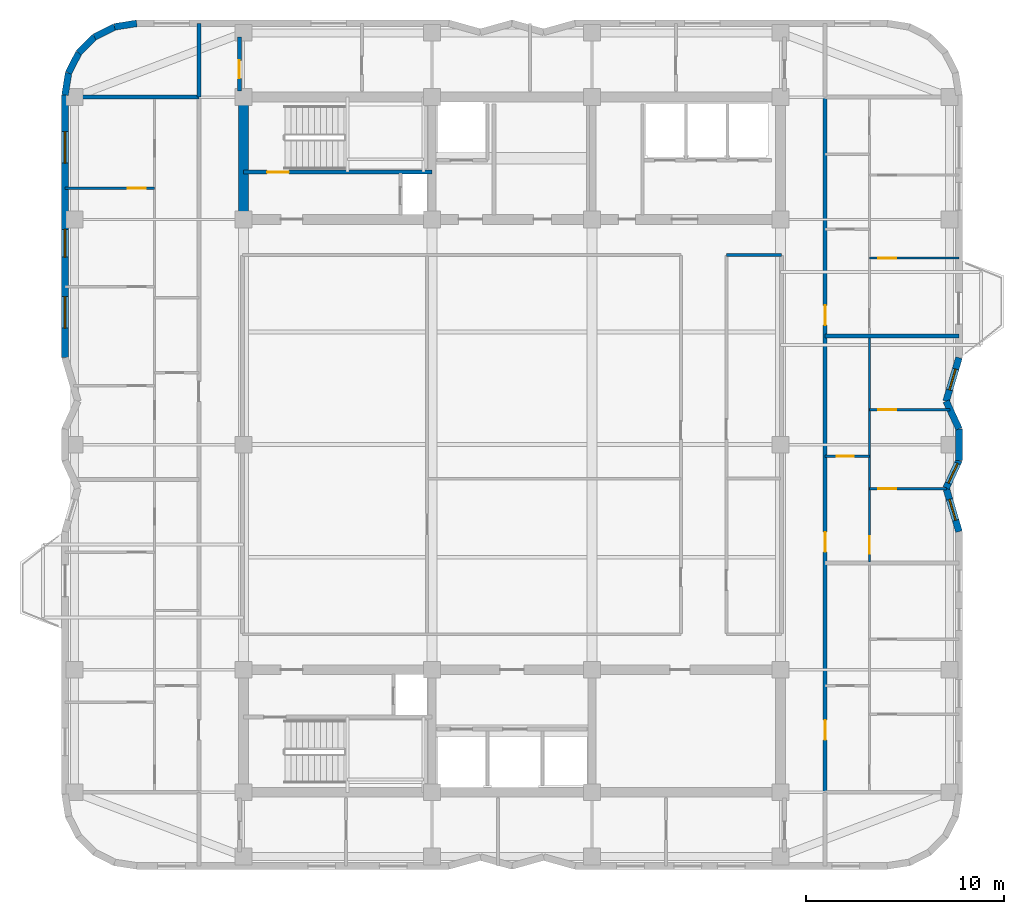
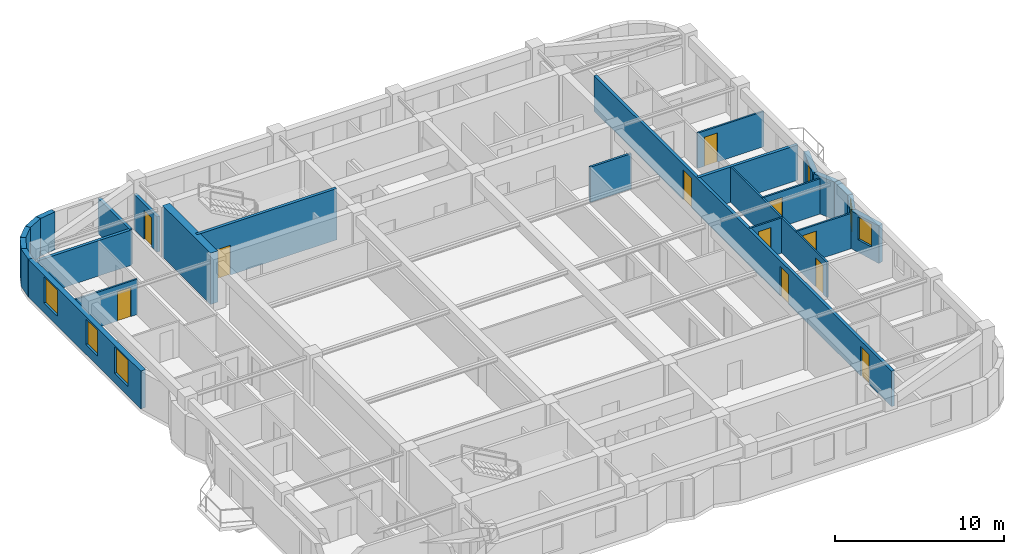
# One storey, part 5 of 9: 25 walls, 11 doors, 6 windows, 17 openings.
"""IFC4 building model written with IfcOpenShell, lengths in metres."""

from ifc_helpers import new_model, si_unit, direction, frame, frame_2d, origin, place, context, subcontext, project, spatial, rectangle, extrude, material, layer, layer_set, type_object, element, fill, save


model = new_model("IFC4")

# Units and contexts
model_context = context("Model", 3, precision=1e-05, world=origin(), true_north=direction((0.0, 1.0)))
body_context = subcontext(model_context, "Body", "Model", "MODEL_VIEW")
ifc_project = project(units=[si_unit("LENGTHUNIT", "METRE"), si_unit("AREAUNIT", "SQUARE_METRE"), si_unit("VOLUMEUNIT", "CUBIC_METRE"), si_unit("PLANEANGLEUNIT", "RADIAN"), si_unit("MASSUNIT", "GRAM", prefix="KILO")], contexts=[model_context])

# Site, building, storey
site_placement = place(None, origin())
site = spatial("IfcSite", under=ifc_project, at=site_placement, CompositionType="ELEMENT")
building_placement = place(site_placement, origin())
building = spatial("IfcBuilding", under=site, at=building_placement, Name="Svetorya Sky Lyceum", CompositionType="ELEMENT")
storey_placement = place(building_placement, frame((0.0, 0.0, 211.0)))
storey = spatial("IfcBuildingStorey", under=building, at=storey_placement, Name="L52", CompositionType="ELEMENT", Elevation=211.0)

# Wall
ifc_material_1 = material(Name="Concrete C50/60", Category="concrete")
ifc_layer_1 = layer(ifc_material_1, 0.5)
ifc_layer_set_1 = layer_set([ifc_layer_1], Name="Concrete C50/60")
wall_type_1 = type_object("IfcWallType", Name="WL-CORE-500", PredefinedType="SHEAR", material=ifc_layer_set_1)
wall_1_placement = place(storey_placement, frame((25.60009765625, 39.85009765625, 0.0), z_axis=(0.0, 0.0, 1.0), x_axis=(0.0, 1.0, 0.0)))
element("IfcWall", 1, at=wall_1_placement, inside=storey, type_object=wall_type_1, Name="L52 NC West Core Shear Wall", PredefinedType="SHEAR", context=body_context, shape_type="SweptSolid", body=[
    extrude(rectangle(XDim=5.699951171875, YDim=0.5, at=frame_2d((2.85009765625, 0.0))), origin(), (0.0, 0.0, 1.0), 3.699951171875),
])

# Wall, opening, window
ifc_material_2 = material(Name="Putilovo limestone rainscreen on autoclaved cellular masonry", Category="masonry")
ifc_layer_2 = layer(ifc_material_2, 0.340087890625)
ifc_layer_set_2 = layer_set([ifc_layer_2], Name="Putilovo limestone rainscreen on autoclaved cellular masonry")
wall_type_2 = type_object("IfcWallType", Name="WL-EXT-340", PredefinedType="SOLIDWALL", material=ifc_layer_set_2)
wall_2_placement = place(storey_placement, frame((61.830078125, 23.800048828125, 0.0), z_axis=(0.0, 0.0, 1.0), x_axis=(-0.283410652833, 0.958998645391, 0.0)))
wall_2 = element("IfcWall", 2, at=wall_2_placement, inside=storey, type_object=wall_type_2, Name="L52 Limestone Exterior Wall 18M", PredefinedType="SOLIDWALL", context=body_context, shape_type="SweptSolid", body=[
    extrude(rectangle(XDim=2.2939453125, YDim=0.340087890625, at=frame_2d((1.14697265625, 0.0))), origin(), (0.0, 0.0, 1.0), 2.719970703125),
])
opening_1_placement = place(wall_2_placement, frame((0.596923828125, 0.0, 0.909912109375)))
opening_1 = element("IfcOpeningElement", 3, at=opening_1_placement, cuts=wall_2, Name="Opening W-R3", PredefinedType="OPENING", context=body_context, shape_type="SweptSolid", body=[
    extrude(rectangle(XDim=1.10009765625, YDim=1.64990234375, at=frame_2d((0.550048828125, 0.824951171875))), frame((0.0, 0.179931640625, 0.0), z_axis=(0.0, -1.0, 0.0), x_axis=(1.0, 0.0, 0.0)), (0.0, 0.0, 1.0), 0.360107421875),
])
ifc_material_3 = material(Name="Thermally broken aluminium frame with triple low-E glazing", Category="aluminium")
window_type_1 = type_object("IfcWindowType", Name="WN-RES-110", PartitioningType="SINGLE_PANEL", PredefinedType="WINDOW", material=ifc_material_3)
window_1_placement = place(opening_1_placement, origin())
window_1 = element("IfcWindow", 4, at=window_1_placement, inside=storey, type_object=window_type_1, Name="L52 Facade Window W-R3.18M.1", OverallHeight=1.64990234375, OverallWidth=1.10009765625, PartitioningType="SINGLE_PANEL", PredefinedType="WINDOW", context=body_context, shape_type="SweptSolid", body=[
    extrude(rectangle(XDim=1.10009765625, YDim=1.64990234375, at=frame_2d((0.550048828125, 0.824951171875))), frame((0.0, 0.030029296875, 0.0), z_axis=(0.0, -1.0, 0.0), x_axis=(1.0, 0.0, 0.0)), (0.0, 0.0, 1.0), 0.06005859375),
])
fill(opening_1, window_1)

wall_3_placement = place(storey_placement, frame((61.179931640625, 26.0, 0.0), z_axis=(0.0, 0.0, 1.0), x_axis=(0.421213543339, 0.906961493619, 0.0)))
wall_3 = element("IfcWall", 5, at=wall_3_placement, inside=storey, type_object=wall_type_2, Name="L52 Limestone Exterior Wall 19M", PredefinedType="SOLIDWALL", context=body_context, shape_type="SweptSolid", body=[
    extrude(rectangle(XDim=1.54345703125, YDim=0.340087890625, at=frame_2d((0.771728515625, 0.0))), origin(), (0.0, 0.0, 1.0), 2.719970703125),
])
opening_2_placement = place(wall_3_placement, frame((0.280029296875, 0.0, 0.909912109375)))
opening_2 = element("IfcOpeningElement", 6, at=opening_2_placement, cuts=wall_3, Name="Opening W-R3", PredefinedType="OPENING", context=body_context, shape_type="SweptSolid", body=[
    extrude(rectangle(XDim=1.10009765625, YDim=1.64990234375, at=frame_2d((0.550048828125, 0.824951171875))), frame((0.0, 0.179931640625, 0.0), z_axis=(0.0, -1.0, 0.0), x_axis=(1.0, 0.0, 0.0)), (0.0, 0.0, 1.0), 0.360107421875),
])
window_2_placement = place(opening_2_placement, origin())
window_2 = element("IfcWindow", 7, at=window_2_placement, inside=storey, type_object=window_type_1, Name="L52 Facade Window W-R3.19M.1", OverallHeight=1.64990234375, OverallWidth=1.10009765625, PartitioningType="SINGLE_PANEL", PredefinedType="WINDOW", context=body_context, shape_type="SweptSolid", body=[
    extrude(rectangle(XDim=1.10009765625, YDim=1.64990234375, at=frame_2d((0.550048828125, 0.824951171875))), frame((0.0, 0.030029296875, 0.0), z_axis=(0.0, -1.0, 0.0), x_axis=(1.0, 0.0, 0.0)), (0.0, 0.0, 1.0), 0.06005859375),
])
fill(opening_2, window_2)

# Walls
wall_4_placement = place(storey_placement, frame((61.830078125, 27.39990234375, 0.0), z_axis=(0.0, 0.0, 1.0), x_axis=(0.0, 1.0, 0.0)))
element("IfcWall", 8, at=wall_4_placement, inside=storey, type_object=wall_type_2, Name="L52 Limestone Exterior Wall 20M", PredefinedType="SOLIDWALL", context=body_context, shape_type="SweptSolid", body=[
    extrude(rectangle(XDim=1.60009765625, YDim=0.340087890625, at=frame_2d((0.800048828125, 0.0))), origin(), (0.0, 0.0, 1.0), 2.719970703125),
])
wall_5_placement = place(storey_placement, frame((61.830078125, 29.0, 0.0), z_axis=(0.0, 0.0, 1.0), x_axis=(-0.421213543339, 0.906961493619, 0.0)))
element("IfcWall", 9, at=wall_5_placement, inside=storey, type_object=wall_type_2, Name="L52 Limestone Exterior Wall 21M", PredefinedType="SOLIDWALL", context=body_context, shape_type="SweptSolid", body=[
    extrude(rectangle(XDim=1.54345703125, YDim=0.340087890625, at=frame_2d((0.771728515625, 0.0))), origin(), (0.0, 0.0, 1.0), 2.719970703125),
])

# Wall, opening, window
wall_6_placement = place(storey_placement, frame((61.179931640625, 30.39990234375, 0.0), z_axis=(0.0, 0.0, 1.0), x_axis=(0.283381730269, 0.959007192335, 0.0)))
wall_6 = element("IfcWall", 10, at=wall_6_placement, inside=storey, type_object=wall_type_2, Name="L52 Limestone Exterior Wall 22M", PredefinedType="SOLIDWALL", context=body_context, shape_type="SweptSolid", body=[
    extrude(rectangle(XDim=2.294189453125, YDim=0.340087890625, at=frame_2d((1.14697265625, 0.0))), origin(), (0.0, 0.0, 1.0), 2.719970703125),
])
opening_3_placement = place(wall_6_placement, frame((0.596923828125, 0.0, 0.909912109375)))
opening_3 = element("IfcOpeningElement", 11, at=opening_3_placement, cuts=wall_6, Name="Opening W-R3", PredefinedType="OPENING", context=body_context, shape_type="SweptSolid", body=[
    extrude(rectangle(XDim=1.10009765625, YDim=1.64990234375, at=frame_2d((0.550048828125, 0.824951171875))), frame((0.0, 0.179931640625, 0.0), z_axis=(0.0, -1.0, 0.0), x_axis=(1.0, 0.0, 0.0)), (0.0, 0.0, 1.0), 0.360107421875),
])
window_3_placement = place(opening_3_placement, origin())
window_3 = element("IfcWindow", 12, at=window_3_placement, inside=storey, type_object=window_type_1, Name="L52 Facade Window W-R3.22M.1", OverallHeight=1.64990234375, OverallWidth=1.10009765625, PartitioningType="SINGLE_PANEL", PredefinedType="WINDOW", context=body_context, shape_type="SweptSolid", body=[
    extrude(rectangle(XDim=1.10009765625, YDim=1.64990234375, at=frame_2d((0.550048828125, 0.824951171875))), frame((0.0, 0.030029296875, 0.0), z_axis=(0.0, -1.0, 0.0), x_axis=(1.0, 0.0, 0.0)), (0.0, 0.0, 1.0), 0.06005859375),
])
fill(opening_3, window_3)

# Walls
wall_7_placement = place(storey_placement, frame((20.199951171875, 49.530029296875, 0.0), z_axis=(0.0, 0.0, 1.0), x_axis=(-0.987675651954, -0.156514556949, 0.0)))
element("IfcWall", 13, at=wall_7_placement, inside=storey, type_object=wall_type_2, Name="L52 Limestone Exterior Wall 35M", PredefinedType="SOLIDWALL", context=body_context, shape_type="SweptSolid", body=[
    extrude(rectangle(XDim=1.135498046875, YDim=0.340087890625, at=frame_2d((0.56787109375, 0.0))), origin(), (0.0, 0.0, 1.0), 2.719970703125),
])
for number, where, z_axis, x_axis, name in (
    (14, (19.078369140625, 49.352294921875, 0.0), (0.0, 0.0, 1.0), (-0.891005044957, -0.453993402883, 0.0), "L52 Limestone Exterior Wall 36M"),
    (15, (18.06640625, 48.836669921875, 0.0), (0.0, 0.0, 1.0), (-0.707214252388, -0.706999293649, 0.0), "L52 Limestone Exterior Wall 37M"),
    (16, (17.26318359375, 48.03369140625, 0.0), (0.0, 0.0, 1.0), (-0.453822724105, -0.891091990249, 0.0), "L52 Limestone Exterior Wall 38M"),
    (17, (16.747802734375, 47.021728515625, 0.0), (0.0, 0.0, 1.0), (-0.156481329164, -0.987680916907, 0.0), "L52 Limestone Exterior Wall 39M"),
):
    element("IfcWall", number, at=place(storey_placement, frame(where, z_axis=z_axis, x_axis=x_axis)), inside=storey, type_object=wall_type_2, Name=name, PredefinedType="SOLIDWALL", context=body_context, shape_type="SweptSolid", body=[
        extrude(rectangle(XDim=1.1357421875, YDim=0.340087890625, at=frame_2d((0.56787109375, 0.0))), origin(), (0.0, 0.0, 1.0), 2.719970703125),
    ])

# Wall, openings, windows
wall_8_placement = place(storey_placement, frame((16.570068359375, 45.89990234375, 0.0), z_axis=(0.0, 0.0, 1.0), x_axis=(0.0, -1.0, 0.0)))
wall_8 = element("IfcWall", 18, at=wall_8_placement, inside=storey, type_object=wall_type_2, Name="L52 Limestone Exterior Wall 40M", PredefinedType="SOLIDWALL", context=body_context, shape_type="SweptSolid", body=[
    extrude(rectangle(XDim=13.2998046875, YDim=0.340087890625, at=frame_2d((6.64990234375, 0.0))), origin(), (0.0, 0.0, 1.0), 2.719970703125),
])
opening_4_placement = place(wall_8_placement, frame((1.85009765625, 0.0, 0.699951171875)))
opening_4 = element("IfcOpeningElement", 19, at=opening_4_placement, cuts=wall_8, Name="Opening W-R4", PredefinedType="OPENING", context=body_context, shape_type="SweptSolid", body=[
    extrude(rectangle(XDim=1.60009765625, YDim=1.89990234375, at=frame_2d((0.800048828125, 0.949951171875))), frame((0.0, 0.179931640625, 0.0), z_axis=(0.0, -1.0, 0.0), x_axis=(1.0, 0.0, 0.0)), (0.0, 0.0, 1.0), 0.360107421875),
])
opening_5_placement = place(wall_8_placement, frame((6.800048828125, 0.0, 0.7099609375)))
opening_5 = element("IfcOpeningElement", 20, at=opening_5_placement, cuts=wall_8, Name="Opening W-R2", PredefinedType="OPENING", context=body_context, shape_type="SweptSolid", body=[
    extrude(rectangle(XDim=1.39990234375, YDim=1.85009765625, at=frame_2d((0.699951171875, 0.925048828125))), frame((0.0, 0.179931640625, 0.0), z_axis=(0.0, -1.0, 0.0), x_axis=(1.0, 0.0, 0.0)), (0.0, 0.0, 1.0), 0.360107421875),
])
opening_6_placement = place(wall_8_placement, frame((10.199951171875, 0.0, 0.699951171875)))
opening_6 = element("IfcOpeningElement", 21, at=opening_6_placement, cuts=wall_8, Name="Opening W-R4", PredefinedType="OPENING", context=body_context, shape_type="SweptSolid", body=[
    extrude(rectangle(XDim=1.60009765625, YDim=1.89990234375, at=frame_2d((0.800048828125, 0.949951171875))), frame((0.0, 0.179931640625, 0.0), z_axis=(0.0, -1.0, 0.0), x_axis=(1.0, 0.0, 0.0)), (0.0, 0.0, 1.0), 0.360107421875),
])
window_type_2 = type_object("IfcWindowType", Name="WN-RES-140", PartitioningType="SINGLE_PANEL", PredefinedType="WINDOW", material=ifc_material_3)
window_4_placement = place(opening_5_placement, origin())
window_4 = element("IfcWindow", 22, at=window_4_placement, inside=storey, type_object=window_type_2, Name="L52 Facade Window W-R2.40M.3", OverallHeight=1.85009765625, OverallWidth=1.39990234375, PartitioningType="SINGLE_PANEL", PredefinedType="WINDOW", context=body_context, shape_type="SweptSolid", body=[
    extrude(rectangle(XDim=1.39990234375, YDim=1.85009765625, at=frame_2d((0.699951171875, 0.925048828125))), frame((0.0, 0.030029296875, 0.0), z_axis=(0.0, -1.0, 0.0), x_axis=(1.0, 0.0, 0.0)), (0.0, 0.0, 1.0), 0.06005859375),
])
fill(opening_5, window_4)
window_type_3 = type_object("IfcWindowType", Name="WN-RES-160", PartitioningType="DOUBLE_PANEL_VERTICAL", PredefinedType="WINDOW", material=ifc_material_3)
window_5_placement = place(opening_4_placement, origin())
window_5 = element("IfcWindow", 23, at=window_5_placement, inside=storey, type_object=window_type_3, Name="L52 Facade Window W-R4.40M.1", OverallHeight=1.89990234375, OverallWidth=1.60009765625, PartitioningType="SINGLE_PANEL", PredefinedType="WINDOW", context=body_context, shape_type="SweptSolid", body=[
    extrude(rectangle(XDim=1.60009765625, YDim=1.89990234375, at=frame_2d((0.800048828125, 0.949951171875))), frame((0.0, 0.030029296875, 0.0), z_axis=(0.0, -1.0, 0.0), x_axis=(1.0, 0.0, 0.0)), (0.0, 0.0, 1.0), 0.06005859375),
])
fill(opening_4, window_5)
window_6_placement = place(opening_6_placement, origin())
window_6 = element("IfcWindow", 24, at=window_6_placement, inside=storey, type_object=window_type_3, Name="L52 Facade Window W-R4.40M.2", OverallHeight=1.89990234375, OverallWidth=1.60009765625, PartitioningType="SINGLE_PANEL", PredefinedType="WINDOW", context=body_context, shape_type="SweptSolid", body=[
    extrude(rectangle(XDim=1.60009765625, YDim=1.89990234375, at=frame_2d((0.800048828125, 0.949951171875))), frame((0.0, 0.030029296875, 0.0), z_axis=(0.0, -1.0, 0.0), x_axis=(1.0, 0.0, 0.0)), (0.0, 0.0, 1.0), 0.06005859375),
])
fill(opening_6, window_6)

# Wall, opening, door
ifc_material_4 = material(Name="Twin-stud galvanized framing with double fireboard", Category="gypsum")
ifc_layer_3 = layer(ifc_material_4, 0.1201171875)
ifc_layer_set_3 = layer_set([ifc_layer_3], Name="Twin-stud galvanized framing with double fireboard")
wall_type_3 = type_object("IfcWallType", Name="WL-PART-120", PredefinedType="PARTITIONING", material=ifc_layer_set_3)
wall_9_placement = place(storey_placement, frame((16.570068359375, 41.18994140625, 0.0), z_axis=(0.0, 0.0, 1.0), x_axis=(1.0, 0.0, 0.0)))
wall_9 = element("IfcWall", 25, at=wall_9_placement, inside=storey, type_object=wall_type_3, Name="L52 Interior Partition W2-WL3", PredefinedType="PARTITIONING", context=body_context, shape_type="SweptSolid", body=[
    extrude(rectangle(XDim=4.530029296875, YDim=0.1201171875, at=frame_2d((2.26513671875, 0.0))), origin(), (0.0, 0.0, 1.0), 2.550048828125),
])
opening_7_placement = place(wall_9_placement, frame((3.179931640625, 0.0, 0.0)))
opening_7 = element("IfcOpeningElement", 26, at=opening_7_placement, cuts=wall_9, Name="Opening D-RM1", PredefinedType="OPENING", context=body_context, shape_type="SweptSolid", body=[
    extrude(rectangle(XDim=0.89990234375, YDim=2.10009765625, at=frame_2d((0.449951171875, 1.050048828125))), frame((0.0, 0.070068359375, 0.0), z_axis=(0.0, -1.0, 0.0), x_axis=(1.0, 0.0, 0.0)), (0.0, 0.0, 1.0), 0.14013671875),
])
ifc_material_5 = material(Name="Lacquered birch veneer internal door")
door_type_1 = type_object("IfcDoorType", Name="DR-INT-900", OperationType="SINGLE_SWING_LEFT", PredefinedType="DOOR", material=ifc_material_5)
door_1_placement = place(opening_7_placement, origin())
door_1 = element("IfcDoor", 27, at=door_1_placement, inside=storey, type_object=door_type_1, Name="Apartment W2 Bedroom 3 Door", OperationType="SINGLE_SWING_RIGHT", OverallHeight=2.10009765625, OverallWidth=0.89990234375, PredefinedType="DOOR", context=body_context, shape_type="SweptSolid", body=[
    extrude(rectangle(XDim=0.89990234375, YDim=2.10009765625, at=frame_2d((0.449951171875, 1.050048828125))), frame((0.0, 0.02490234375, 0.0), z_axis=(0.0, -1.0, 0.0), x_axis=(1.0, 0.0, 0.0)), (0.0, 0.0, 1.0), 0.050048828125),
])
fill(opening_7, door_1)

wall_10_placement = place(storey_placement, frame((55.050048828125, 27.615966796875, 0.0), z_axis=(0.0, 0.0, 1.0), x_axis=(1.0, 0.0, 0.0)))
wall_10 = element("IfcWall", 28, at=wall_10_placement, inside=storey, type_object=wall_type_3, Name="L52 Interior Partition E2-WH1", PredefinedType="PARTITIONING", context=body_context, shape_type="SweptSolid", body=[
    extrude(rectangle(XDim=2.25, YDim=0.1201171875, at=frame_2d((1.125, 0.0))), origin(), (0.0, 0.0, 1.0), 2.550048828125),
])
opening_8_placement = place(wall_10_placement, frame((0.60009765625, 0.0, 0.0)))
opening_8 = element("IfcOpeningElement", 29, at=opening_8_placement, cuts=wall_10, Name="Opening D-BT1", PredefinedType="OPENING", context=body_context, shape_type="SweptSolid", body=[
    extrude(rectangle(XDim=0.85009765625, YDim=2.10009765625, at=frame_2d((0.425048828125, 1.050048828125))), frame((0.0, 0.070068359375, 0.0), z_axis=(0.0, -1.0, 0.0), x_axis=(1.0, 0.0, 0.0)), (0.0, 0.0, 1.0), 0.14013671875),
])
ifc_material_6 = material(Name="Moisture-resistant laminate bathroom door")
door_type_2 = type_object("IfcDoorType", Name="DR-WET-850", OperationType="SINGLE_SWING_LEFT", PredefinedType="DOOR", material=ifc_material_6)
door_2_placement = place(opening_8_placement, origin())
door_2 = element("IfcDoor", 30, at=door_2_placement, inside=storey, type_object=door_type_2, Name="Apartment E2 Bathroom Door", OperationType="SINGLE_SWING_LEFT", OverallHeight=2.10009765625, OverallWidth=0.85009765625, PredefinedType="DOOR", context=body_context, shape_type="SweptSolid", body=[
    extrude(rectangle(XDim=0.85009765625, YDim=2.10009765625, at=frame_2d((0.425048828125, 1.050048828125))), frame((0.0, 0.02490234375, 0.0), z_axis=(0.0, -1.0, 0.0), x_axis=(1.0, 0.0, 0.0)), (0.0, 0.0, 1.0), 0.050048828125),
])
fill(opening_8, door_2)

wall_11_placement = place(storey_placement, frame((57.300048828125, 25.966064453125, 0.0), z_axis=(0.0, 0.0, 1.0), x_axis=(1.0, 0.0, 0.0)))
wall_11 = element("IfcWall", 31, at=wall_11_placement, inside=storey, type_object=wall_type_3, Name="L52 Interior Partition E2-WL1", PredefinedType="PARTITIONING", context=body_context, shape_type="SweptSolid", body=[
    extrude(rectangle(XDim=3.889892578125, YDim=0.1201171875, at=frame_2d((1.94482421875, 0.0))), origin(), (0.0, 0.0, 1.0), 2.550048828125),
])
opening_9_placement = place(wall_11_placement, frame((0.449951171875, 0.0, 0.0)))
opening_9 = element("IfcOpeningElement", 32, at=opening_9_placement, cuts=wall_11, Name="Opening D-RM1", PredefinedType="OPENING", context=body_context, shape_type="SweptSolid", body=[
    extrude(rectangle(XDim=0.89990234375, YDim=2.10009765625, at=frame_2d((0.449951171875, 1.050048828125))), frame((0.0, 0.070068359375, 0.0), z_axis=(0.0, -1.0, 0.0), x_axis=(1.0, 0.0, 0.0)), (0.0, 0.0, 1.0), 0.14013671875),
])
door_3_placement = place(opening_9_placement, origin())
door_3 = element("IfcDoor", 33, at=door_3_placement, inside=storey, type_object=door_type_1, Name="Apartment E2 Master Bedroom Door", OperationType="SINGLE_SWING_LEFT", OverallHeight=2.10009765625, OverallWidth=0.89990234375, PredefinedType="DOOR", context=body_context, shape_type="SweptSolid", body=[
    extrude(rectangle(XDim=0.89990234375, YDim=2.10009765625, at=frame_2d((0.449951171875, 1.050048828125))), frame((0.0, 0.02490234375, 0.0), z_axis=(0.0, -1.0, 0.0), x_axis=(1.0, 0.0, 0.0)), (0.0, 0.0, 1.0), 0.050048828125),
])
fill(opening_9, door_3)

wall_12_placement = place(storey_placement, frame((57.300048828125, 29.966064453125, 0.0), z_axis=(0.0, 0.0, 1.0), x_axis=(1.0, 0.0, 0.0)))
wall_12 = element("IfcWall", 34, at=wall_12_placement, inside=storey, type_object=wall_type_3, Name="L52 Interior Partition E2-WL2", PredefinedType="PARTITIONING", context=body_context, shape_type="SweptSolid", body=[
    extrude(rectangle(XDim=4.08154296875, YDim=0.1201171875, at=frame_2d((2.040771484375, 0.0))), origin(), (0.0, 0.0, 1.0), 2.550048828125),
])
opening_10_placement = place(wall_12_placement, frame((0.449951171875, 0.0, 0.0)))
opening_10 = element("IfcOpeningElement", 35, at=opening_10_placement, cuts=wall_12, Name="Opening D-RM1", PredefinedType="OPENING", context=body_context, shape_type="SweptSolid", body=[
    extrude(rectangle(XDim=0.89990234375, YDim=2.10009765625, at=frame_2d((0.449951171875, 1.050048828125))), frame((0.0, 0.070068359375, 0.0), z_axis=(0.0, -1.0, 0.0), x_axis=(1.0, 0.0, 0.0)), (0.0, 0.0, 1.0), 0.14013671875),
])
door_4_placement = place(opening_10_placement, origin())
door_4 = element("IfcDoor", 36, at=door_4_placement, inside=storey, type_object=door_type_1, Name="Apartment E2 Bedroom 2 Door", OperationType="SINGLE_SWING_RIGHT", OverallHeight=2.10009765625, OverallWidth=0.89990234375, PredefinedType="DOOR", context=body_context, shape_type="SweptSolid", body=[
    extrude(rectangle(XDim=0.89990234375, YDim=2.10009765625, at=frame_2d((0.449951171875, 1.050048828125))), frame((0.0, 0.02490234375, 0.0), z_axis=(0.0, -1.0, 0.0), x_axis=(1.0, 0.0, 0.0)), (0.0, 0.0, 1.0), 0.050048828125),
])
fill(opening_10, door_4)

wall_13_placement = place(storey_placement, frame((57.300048828125, 22.256103515625, 0.0), z_axis=(0.0, 0.0, 1.0), x_axis=(0.0, 1.0, 0.0)))
wall_13 = element("IfcWall", 37, at=wall_13_placement, inside=storey, type_object=wall_type_3, Name="L52 Interior Partition E2-WV", PredefinedType="PARTITIONING", context=body_context, shape_type="SweptSolid", body=[
    extrude(rectangle(XDim=11.40380859375, YDim=0.1201171875, at=frame_2d((5.701904296875, 0.0))), origin(), (0.0, 0.0, 1.0), 2.550048828125),
])
opening_11_placement = place(wall_13_placement, frame((0.409912109375, 0.0, 0.0)))
opening_11 = element("IfcOpeningElement", 38, at=opening_11_placement, cuts=wall_13, Name="Opening D-RM1", PredefinedType="OPENING", context=body_context, shape_type="SweptSolid", body=[
    extrude(rectangle(XDim=0.89990234375, YDim=2.10009765625, at=frame_2d((0.449951171875, 1.050048828125))), frame((0.0, 0.070068359375, 0.0), z_axis=(0.0, -1.0, 0.0), x_axis=(1.0, 0.0, 0.0)), (0.0, 0.0, 1.0), 0.14013671875),
])
door_5_placement = place(opening_11_placement, origin())
door_5 = element("IfcDoor", 39, at=door_5_placement, inside=storey, type_object=door_type_1, Name="Apartment E2 Living Door", OperationType="SINGLE_SWING_RIGHT", OverallHeight=2.10009765625, OverallWidth=0.89990234375, PredefinedType="DOOR", context=body_context, shape_type="SweptSolid", body=[
    extrude(rectangle(XDim=0.89990234375, YDim=2.10009765625, at=frame_2d((0.449951171875, 1.050048828125))), frame((0.0, 0.02490234375, 0.0), z_axis=(0.0, -1.0, 0.0), x_axis=(1.0, 0.0, 0.0)), (0.0, 0.0, 1.0), 0.050048828125),
])
fill(opening_11, door_5)

wall_14_placement = place(storey_placement, frame((57.300048828125, 37.64990234375, 0.0), z_axis=(0.0, 0.0, 1.0), x_axis=(1.0, 0.0, 0.0)))
wall_14 = element("IfcWall", 40, at=wall_14_placement, inside=storey, type_object=wall_type_3, Name="L52 Interior Partition E3-WL1", PredefinedType="PARTITIONING", context=body_context, shape_type="SweptSolid", body=[
    extrude(rectangle(XDim=4.530029296875, YDim=0.1201171875, at=frame_2d((2.26513671875, 0.0))), origin(), (0.0, 0.0, 1.0), 2.550048828125),
])
opening_12_placement = place(wall_14_placement, frame((0.449951171875, 0.0, 0.0)))
opening_12 = element("IfcOpeningElement", 41, at=opening_12_placement, cuts=wall_14, Name="Opening D-RM1", PredefinedType="OPENING", context=body_context, shape_type="SweptSolid", body=[
    extrude(rectangle(XDim=0.89990234375, YDim=2.10009765625, at=frame_2d((0.449951171875, 1.050048828125))), frame((0.0, 0.070068359375, 0.0), z_axis=(0.0, -1.0, 0.0), x_axis=(1.0, 0.0, 0.0)), (0.0, 0.0, 1.0), 0.14013671875),
])
door_6_placement = place(opening_12_placement, origin())
door_6 = element("IfcDoor", 42, at=door_6_placement, inside=storey, type_object=door_type_1, Name="Apartment E3 Master Bedroom Door", OperationType="SINGLE_SWING_RIGHT", OverallHeight=2.10009765625, OverallWidth=0.89990234375, PredefinedType="DOOR", context=body_context, shape_type="SweptSolid", body=[
    extrude(rectangle(XDim=0.89990234375, YDim=2.10009765625, at=frame_2d((0.449951171875, 1.050048828125))), frame((0.0, 0.02490234375, 0.0), z_axis=(0.0, -1.0, 0.0), x_axis=(1.0, 0.0, 0.0)), (0.0, 0.0, 1.0), 0.050048828125),
])
fill(opening_12, door_6)

# Walls
ifc_material_7 = material(Name="Autoclaved cellular masonry blockwork with acoustic render", Category="masonry")
ifc_layer_4 = layer(ifc_material_7, 0.14990234375)
ifc_layer_set_4 = layer_set([ifc_layer_4], Name="Autoclaved cellular masonry blockwork with acoustic render")
wall_type_4 = type_object("IfcWallType", Name="WL-PART-150", PredefinedType="PARTITIONING", material=ifc_layer_set_4)
wall_15_placement = place(storey_placement, frame((50.050048828125, 37.800048828125, 0.0), z_axis=(0.0, 0.0, 1.0), x_axis=(1.0, 0.0, 0.0)))
element("IfcWall", 43, at=wall_15_placement, inside=storey, type_object=wall_type_4, Name="L52 Interior Partition OFF-CN-E", PredefinedType="PARTITIONING", context=body_context, shape_type="SweptSolid", body=[
    extrude(rectangle(XDim=2.800048828125, YDim=0.14990234375, at=frame_2d((1.39990234375, 0.0))), origin(), (0.0, 0.0, 1.0), 2.550048828125),
])
ifc_material_8 = material(Name="Autoclaved cellular masonry blockwork with gypsum plaster", Category="masonry")
ifc_layer_5 = layer(ifc_material_8, 0.199951171875)
ifc_layer_set_5 = layer_set([ifc_layer_5], Name="Autoclaved cellular masonry blockwork with gypsum plaster")
wall_type_5 = type_object("IfcWallType", Name="WL-PART-200", PredefinedType="PARTITIONING", material=ifc_layer_set_5)
wall_16_placement = place(storey_placement, frame((16.989990234375, 45.800048828125, 0.0), z_axis=(0.0, 0.0, 1.0), x_axis=(1.0, 0.0, 0.0)))
element("IfcWall", 44, at=wall_16_placement, inside=storey, type_object=wall_type_5, Name="L52 Interior Partition W-CAP-N", PredefinedType="PARTITIONING", context=body_context, shape_type="SweptSolid", body=[
    extrude(rectangle(XDim=6.360107421875, YDim=0.199951171875, at=frame_2d((3.18017578125, 0.0))), origin(), (0.0, 0.0, 1.0), 2.550048828125),
])
wall_17_placement = place(storey_placement, frame((55.050048828125, 33.699951171875, 0.0), z_axis=(0.0, 0.0, 1.0), x_axis=(1.0, 0.0, 0.0)))
element("IfcWall", 45, at=wall_17_placement, inside=storey, type_object=wall_type_5, Name="L52 Interior Partition E-PARTY-2", PredefinedType="PARTITIONING", context=body_context, shape_type="SweptSolid", body=[
    extrude(rectangle(XDim=6.780029296875, YDim=0.199951171875, at=frame_2d((3.39013671875, 0.0))), origin(), (0.0, 0.0, 1.0), 2.550048828125),
])

# Wall, openings, doors
wall_18_placement = place(storey_placement, frame((55.050048828125, 10.60009765625, 0.0), z_axis=(0.0, 0.0, 1.0), x_axis=(0.0, 1.0, 0.0)))
wall_18 = element("IfcWall", 46, at=wall_18_placement, inside=storey, type_object=wall_type_5, Name="L52 Interior Partition E-CORRW", PredefinedType="PARTITIONING", context=body_context, shape_type="SweptSolid", body=[
    extrude(rectangle(XDim=35.199951171875, YDim=0.199951171875, at=frame_2d((17.60009765625, 0.0))), origin(), (0.0, 0.0, 1.0), 2.550048828125),
])
opening_13_placement = place(wall_18_placement, frame((2.64990234375, 0.0, 0.0)))
opening_13 = element("IfcOpeningElement", 47, at=opening_13_placement, cuts=wall_18, Name="Opening D-APT1", PredefinedType="OPENING", context=body_context, shape_type="SweptSolid", body=[
    extrude(rectangle(XDim=1.0, YDim=2.14990234375, at=frame_2d((0.5, 1.074951171875))), frame((0.0, 0.10986328125, 0.0), z_axis=(0.0, -1.0, 0.0), x_axis=(1.0, 0.0, 0.0)), (0.0, 0.0, 1.0), 0.219970703125),
])
opening_14_placement = place(wall_18_placement, frame((12.166015625, 0.0, 0.0)))
opening_14 = element("IfcOpeningElement", 48, at=opening_14_placement, cuts=wall_18, Name="Opening D-APT1", PredefinedType="OPENING", context=body_context, shape_type="SweptSolid", body=[
    extrude(rectangle(XDim=1.0, YDim=2.14990234375, at=frame_2d((0.5, 1.074951171875))), frame((0.0, 0.10986328125, 0.0), z_axis=(0.0, -1.0, 0.0), x_axis=(1.0, 0.0, 0.0)), (0.0, 0.0, 1.0), 0.219970703125),
])
opening_15_placement = place(wall_18_placement, frame((23.64990234375, 0.0, 0.0)))
opening_15 = element("IfcOpeningElement", 49, at=opening_15_placement, cuts=wall_18, Name="Opening D-APT1", PredefinedType="OPENING", context=body_context, shape_type="SweptSolid", body=[
    extrude(rectangle(XDim=1.0, YDim=2.14990234375, at=frame_2d((0.5, 1.074951171875))), frame((0.0, 0.10986328125, 0.0), z_axis=(0.0, -1.0, 0.0), x_axis=(1.0, 0.0, 0.0)), (0.0, 0.0, 1.0), 0.219970703125),
])
ifc_material_9 = material(Name="Insulated oak-veneered apartment entrance door")
door_type_3 = type_object("IfcDoorType", Name="DR-APT-1000", OperationType="SINGLE_SWING_LEFT", PredefinedType="DOOR", material=ifc_material_9)
door_7_placement = place(opening_13_placement, origin())
door_7 = element("IfcDoor", 50, at=door_7_placement, inside=storey, type_object=door_type_3, Name="L52 Apartment E1 Entrance Door", OperationType="SINGLE_SWING_RIGHT", OverallHeight=2.14990234375, OverallWidth=1.0, PredefinedType="DOOR", context=body_context, shape_type="SweptSolid", body=[
    extrude(rectangle(XDim=1.0, YDim=2.14990234375, at=frame_2d((0.5, 1.074951171875))), frame((0.0, 0.02490234375, 0.0), z_axis=(0.0, -1.0, 0.0), x_axis=(1.0, 0.0, 0.0)), (0.0, 0.0, 1.0), 0.050048828125),
])
fill(opening_13, door_7)
door_8_placement = place(opening_14_placement, origin())
door_8 = element("IfcDoor", 51, at=door_8_placement, inside=storey, type_object=door_type_3, Name="L52 Apartment E2 Entrance Door", OperationType="SINGLE_SWING_LEFT", OverallHeight=2.14990234375, OverallWidth=1.0, PredefinedType="DOOR", context=body_context, shape_type="SweptSolid", body=[
    extrude(rectangle(XDim=1.0, YDim=2.14990234375, at=frame_2d((0.5, 1.074951171875))), frame((0.0, 0.02490234375, 0.0), z_axis=(0.0, -1.0, 0.0), x_axis=(1.0, 0.0, 0.0)), (0.0, 0.0, 1.0), 0.050048828125),
])
fill(opening_14, door_8)
door_9_placement = place(opening_15_placement, origin())
door_9 = element("IfcDoor", 52, at=door_9_placement, inside=storey, type_object=door_type_3, Name="L52 Apartment E3 Entrance Door", OperationType="SINGLE_SWING_RIGHT", OverallHeight=2.14990234375, OverallWidth=1.0, PredefinedType="DOOR", context=body_context, shape_type="SweptSolid", body=[
    extrude(rectangle(XDim=1.0, YDim=2.14990234375, at=frame_2d((0.5, 1.074951171875))), frame((0.0, 0.02490234375, 0.0), z_axis=(0.0, -1.0, 0.0), x_axis=(1.0, 0.0, 0.0)), (0.0, 0.0, 1.0), 0.050048828125),
])
fill(opening_15, door_9)

# Wall
wall_19_placement = place(storey_placement, frame((23.35009765625, 45.800048828125, 0.0), z_axis=(0.0, 0.0, 1.0), x_axis=(0.0, 1.0, 0.0)))
element("IfcWall", 53, at=wall_19_placement, inside=storey, type_object=wall_type_5, Name="L52 Interior Partition WC-NW-END", PredefinedType="PARTITIONING", context=body_context, shape_type="SweptSolid", body=[
    extrude(rectangle(XDim=3.72998046875, YDim=0.199951171875, at=frame_2d((1.864990234375, 0.0))), origin(), (0.0, 0.0, 1.0), 2.550048828125),
])

# Wall, opening, door
wall_20_placement = place(storey_placement, frame((25.39990234375, 46.10009765625, 0.0), z_axis=(0.0, 0.0, 1.0), x_axis=(0.0, 1.0, 0.0)))
wall_20 = element("IfcWall", 54, at=wall_20_placement, inside=storey, type_object=wall_type_5, Name="L52 Interior Partition N4-EW", PredefinedType="PARTITIONING", context=body_context, shape_type="SweptSolid", body=[
    extrude(rectangle(XDim=2.72998046875, YDim=0.199951171875, at=frame_2d((1.364990234375, 0.0))), origin(), (0.0, 0.0, 1.0), 2.550048828125),
])
opening_16_placement = place(wall_20_placement, frame((0.64990234375, 0.0, 0.0)))
opening_16 = element("IfcOpeningElement", 55, at=opening_16_placement, cuts=wall_20, Name="Opening D-RM1", PredefinedType="OPENING", context=body_context, shape_type="SweptSolid", body=[
    extrude(rectangle(XDim=0.89990234375, YDim=2.10009765625, at=frame_2d((0.449951171875, 1.050048828125))), frame((0.0, 0.10986328125, 0.0), z_axis=(0.0, -1.0, 0.0), x_axis=(1.0, 0.0, 0.0)), (0.0, 0.0, 1.0), 0.219970703125),
])
door_10_placement = place(opening_16_placement, origin())
door_10 = element("IfcDoor", 56, at=door_10_placement, inside=storey, type_object=door_type_1, Name="L52 NW Study Door", OperationType="SINGLE_SWING_RIGHT", OverallHeight=2.10009765625, OverallWidth=0.89990234375, PredefinedType="DOOR", context=body_context, shape_type="SweptSolid", body=[
    extrude(rectangle(XDim=0.89990234375, YDim=2.10009765625, at=frame_2d((0.449951171875, 1.050048828125))), frame((0.0, 0.02490234375, 0.0), z_axis=(0.0, -1.0, 0.0), x_axis=(1.0, 0.0, 0.0)), (0.0, 0.0, 1.0), 0.050048828125),
])
fill(opening_16, door_10)

ifc_layer_6 = layer(ifc_material_1, 0.199951171875)
ifc_layer_set_6 = layer_set([ifc_layer_6], Name="Concrete C50/60")
wall_type_6 = type_object("IfcWallType", Name="WL-SHW-200", PredefinedType="SHEAR", material=ifc_layer_set_6)
wall_21_placement = place(storey_placement, frame((35.14990234375, 42.0, 0.0), z_axis=(0.0, 0.0, 1.0), x_axis=(-1.0, 0.0, 0.0)))
wall_21 = element("IfcWall", 57, at=wall_21_placement, inside=storey, type_object=wall_type_6, Name="L52 Structural Stair Shaft Wall NC-STW", PredefinedType="SHEAR", context=body_context, shape_type="SweptSolid", body=[
    extrude(rectangle(XDim=9.5498046875, YDim=0.199951171875, at=frame_2d((4.77490234375, 0.0))), origin(), (0.0, 0.0, 1.0), 3.699951171875),
])
opening_17_placement = place(wall_21_placement, frame((7.25, 0.0, 0.0)))
opening_17 = element("IfcOpeningElement", 58, at=opening_17_placement, cuts=wall_21, Name="Opening D-ST1", PredefinedType="OPENING", context=body_context, shape_type="SweptSolid", body=[
    extrude(rectangle(XDim=1.10009765625, YDim=2.14990234375, at=frame_2d((0.550048828125, 1.074951171875))), frame((0.0, 0.10986328125, 0.0), z_axis=(0.0, -1.0, 0.0), x_axis=(1.0, 0.0, 0.0)), (0.0, 0.0, 1.0), 0.219970703125),
])
ifc_material_10 = material(Name="Powder-coated insulated galvanized stair fire door")
door_type_4 = type_object("IfcDoorType", Name="DR-FIRE-1100", OperationType="SINGLE_SWING_LEFT", PredefinedType="DOOR", material=ifc_material_10)
door_11_placement = place(opening_17_placement, origin())
door_11 = element("IfcDoor", 59, at=door_11_placement, inside=storey, type_object=door_type_4, Name="L52 Stair ST-N Vestibule Fire Door", OperationType="SINGLE_SWING_RIGHT", OverallHeight=2.14990234375, OverallWidth=1.10009765625, PredefinedType="DOOR", context=body_context, shape_type="SweptSolid", body=[
    extrude(rectangle(XDim=1.10009765625, YDim=2.14990234375, at=frame_2d((0.550048828125, 1.074951171875))), frame((0.0, 0.02490234375, 0.0), z_axis=(0.0, -1.0, 0.0), x_axis=(1.0, 0.0, 0.0)), (0.0, 0.0, 1.0), 0.050048828125),
])
fill(opening_17, door_11)

save(model, "model.ifc")
